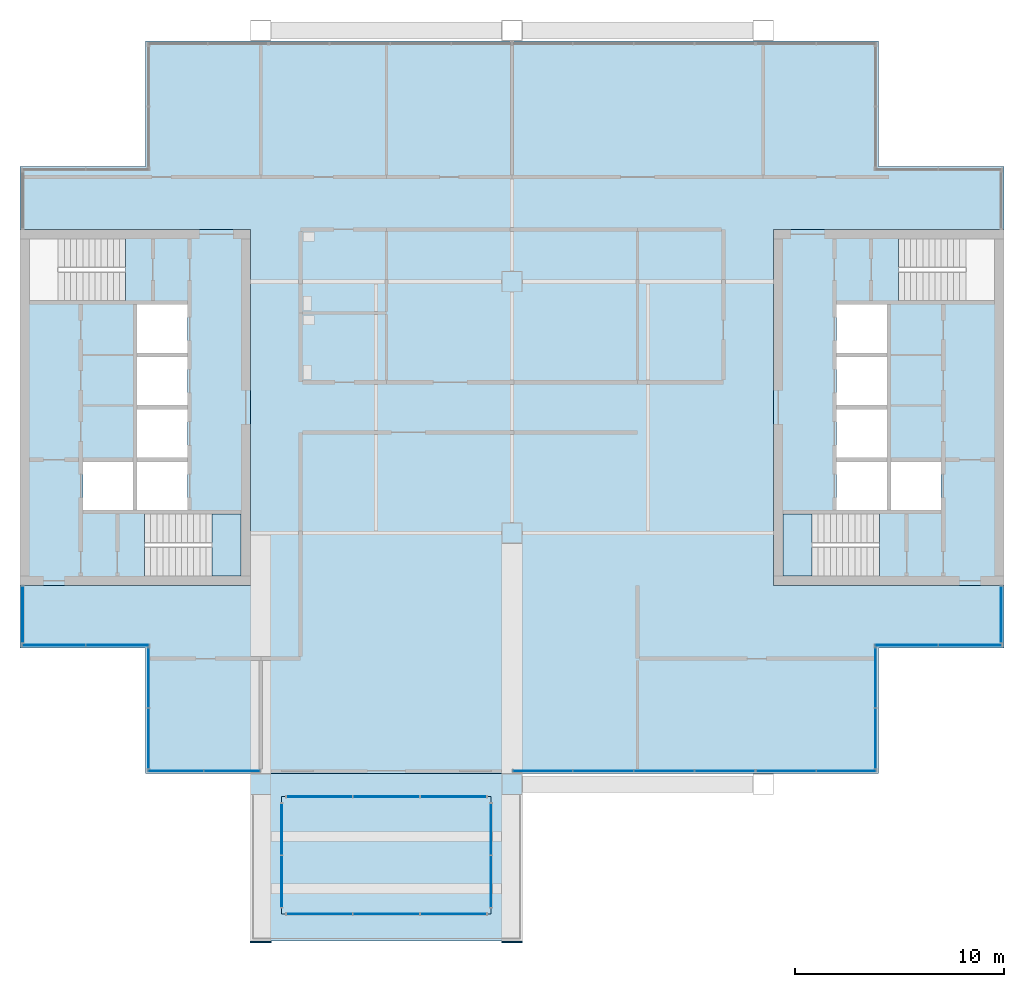
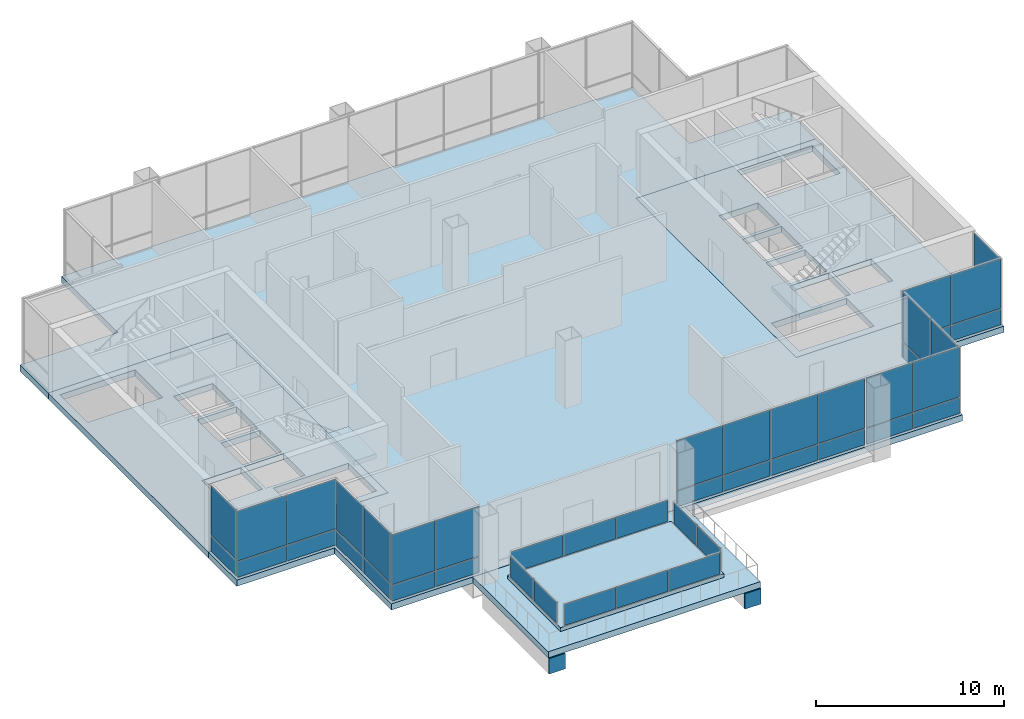
# One storey, part 9 of 15: 48 plates, 7 slabs, 15 elements without a shape of their own.
"""IFC4 building model written with IfcOpenShell, lengths in metres."""

from ifc_helpers import new_model, si_unit, direction, frame, origin, origin_2d, place, context, subcontext, project, spatial, polyline, rectangle, outline, extrude, material, layer, layer_set, type_object, element, aggregate, save


model = new_model("IFC4")

# Units and contexts
model_context = context("Model", 3, precision=1e-05, world=origin(), true_north=direction((0.0, 1.0)))
body_context = subcontext(model_context, "Body", "Model", "MODEL_VIEW")
ifc_project = project(units=[si_unit("LENGTHUNIT", "METRE"), si_unit("AREAUNIT", "SQUARE_METRE"), si_unit("VOLUMEUNIT", "CUBIC_METRE"), si_unit("PLANEANGLEUNIT", "RADIAN"), si_unit("MASSUNIT", "GRAM", prefix="KILO")], contexts=[model_context])

# Site, building, storey
site_placement = place(None, origin())
site = spatial("IfcSite", under=ifc_project, at=site_placement, CompositionType="ELEMENT")
building_placement = place(site_placement, origin())
building = spatial("IfcBuilding", under=site, at=building_placement, Name="Kitamizu Gate Tower and Museum", CompositionType="ELEMENT")
storey_placement = place(building_placement, frame((0.0, 0.0, 273.14990234375)))
storey = spatial("IfcBuildingStorey", under=building, at=storey_placement, Name="L74", CompositionType="ELEMENT", Elevation=273.14990234375)

# Slabs
ifc_material_1 = material(Name="Concrete Fc36", Category="concrete")
ifc_layer_1 = layer(ifc_material_1, 0.39990234375)
ifc_layer_set_1 = layer_set([ifc_layer_1], Name="Concrete Fc36")
slab_type_1 = type_object("IfcSlabType", Name="Core floor slab 400", PredefinedType="FLOOR", material=ifc_layer_set_1)
slab_1_placement = place(storey_placement, frame((0.0, 0.0, -0.39990234375)))
element("IfcSlab", 1, at=slab_1_placement, inside=storey, type_object=slab_type_1, Name="Core floor slab W", PredefinedType="FLOOR", context=body_context, shape_type="SweptSolid", body=[
    extrude(outline(polyline([(12.5, 21.5), (23.5, 21.5), (23.5, 38.5), (12.5, 38.5), (12.5, 21.5)]), holes=[polyline([(15.5, 25.10009765625), (17.89990234375, 25.10009765625), (17.89990234375, 27.39990234375), (15.5, 27.39990234375), (15.5, 25.10009765625)]), polyline([(18.10009765625, 25.10009765625), (20.5, 25.10009765625), (20.5, 27.39990234375), (18.10009765625, 27.39990234375), (18.10009765625, 25.10009765625)]), polyline([(18.10009765625, 27.60009765625), (20.5, 27.60009765625), (20.5, 29.89990234375), (18.10009765625, 29.89990234375), (18.10009765625, 27.60009765625)]), polyline([(18.10009765625, 30.10009765625), (20.5, 30.10009765625), (20.5, 32.39990234375), (18.10009765625, 32.39990234375), (18.10009765625, 30.10009765625)]), polyline([(18.10009765625, 32.60009765625), (20.5, 32.60009765625), (20.5, 34.89990234375), (18.10009765625, 34.89990234375), (18.10009765625, 32.60009765625)]), polyline([(18.45068359375, 21.949951171875), (23.050048828125, 21.949951171875), (23.050048828125, 24.89990234375), (18.45068359375, 24.89990234375), (18.45068359375, 21.949951171875)]), polyline([(12.949951171875, 35.10009765625), (17.54931640625, 35.10009765625), (17.54931640625, 38.050048828125), (12.949951171875, 38.050048828125), (12.949951171875, 35.10009765625)])]), origin(), (0.0, 0.0, 1.0), 0.39990234375),
])
slab_2_placement = place(storey_placement, frame((0.0, 0.0, -0.39990234375)))
element("IfcSlab", 2, at=slab_2_placement, inside=storey, type_object=slab_type_1, Name="Core floor slab E", PredefinedType="FLOOR", context=body_context, shape_type="SweptSolid", body=[
    extrude(outline(polyline([(48.5, 21.5), (59.5, 21.5), (59.5, 38.5), (48.5, 38.5), (48.5, 21.5)]), holes=[polyline([(54.10009765625, 25.10009765625), (56.5, 25.10009765625), (56.5, 27.39990234375), (54.10009765625, 27.39990234375), (54.10009765625, 25.10009765625)]), polyline([(51.5, 25.10009765625), (53.89990234375, 25.10009765625), (53.89990234375, 27.39990234375), (51.5, 27.39990234375), (51.5, 25.10009765625)]), polyline([(51.5, 27.60009765625), (53.89990234375, 27.60009765625), (53.89990234375, 29.89990234375), (51.5, 29.89990234375), (51.5, 27.60009765625)]), polyline([(51.5, 30.10009765625), (53.89990234375, 30.10009765625), (53.89990234375, 32.39990234375), (51.5, 32.39990234375), (51.5, 30.10009765625)]), polyline([(51.5, 32.60009765625), (53.89990234375, 32.60009765625), (53.89990234375, 34.89990234375), (51.5, 34.89990234375), (51.5, 32.60009765625)]), polyline([(48.949951171875, 21.949951171875), (53.54931640625, 21.949951171875), (53.54931640625, 24.89990234375), (48.949951171875, 24.89990234375), (48.949951171875, 21.949951171875)]), polyline([(54.45068359375, 35.10009765625), (59.050048828125, 35.10009765625), (59.050048828125, 38.050048828125), (54.45068359375, 38.050048828125), (54.45068359375, 35.10009765625)])]), origin(), (0.0, 0.0, 1.0), 0.39990234375),
])

# Curtain wall, plates
ifc_material_2 = material(Name="Bronze anodised aluminium frame, tinted triple glazing", Category="aluminium")
curtain_wall_type_1 = type_object("IfcCurtainWallType", Name="CURTAIN WALL TYPE C SKY AMENITY", PredefinedType="NOTDEFINED", material=ifc_material_2)
curtain_wall_1_placement = place(storey_placement, origin())
curtain_wall_1 = element("IfcCurtainWall", 3, at=curtain_wall_1_placement, inside=storey, type_object=curtain_wall_type_1, Name="Curtain wall CW-C south L74", PredefinedType="NOTDEFINED")
ifc_material_3 = material(Name="Tinted insulating glass", Category="glass")
ifc_layer_2 = layer(ifc_material_3, 0.031982421875)
ifc_layer_set_2 = layer_set([ifc_layer_2], Name="Tinted insulating glass")
plate_type_1 = type_object("IfcPlateType", Name="GLASS PANEL 32 TYPE C", PredefinedType="CURTAIN_PANEL", material=ifc_layer_set_2)
plate_1_placement = place(storey_placement, frame((19.93505859375, 12.635009765625, 0.06005859375), z_axis=(0.0, 0.0, 1.0), x_axis=(1.0, 0.0, 0.0)))
plate_1 = element("IfcPlate", 4, at=plate_1_placement, type_object=plate_type_1, Name="CW-C panel 1.1", PredefinedType="CURTAIN_PANEL", context=body_context, shape_type="SweptSolid", body=[
    extrude(rectangle(XDim=2.6298828125, YDim=0.031982421875, at=origin_2d()), origin(), (0.0, 0.0, 1.0), 1.010009765625),
])
plate_2_placement = place(storey_placement, frame((19.93505859375, 12.635009765625, 1.130126953125), z_axis=(0.0, 0.0, 1.0), x_axis=(1.0, 0.0, 0.0)))
plate_2 = element("IfcPlate", 5, at=plate_2_placement, type_object=plate_type_1, Name="CW-C panel 1.2", PredefinedType="CURTAIN_PANEL", context=body_context, shape_type="SweptSolid", body=[
    extrude(rectangle(XDim=2.6298828125, YDim=0.031982421875, at=origin_2d()), origin(), (0.0, 0.0, 1.0), 3.2099609375),
])
plate_3_placement = place(storey_placement, frame((22.625, 12.635009765625, 0.06005859375), z_axis=(0.0, 0.0, 1.0), x_axis=(1.0, 0.0, 0.0)))
plate_3 = element("IfcPlate", 6, at=plate_3_placement, type_object=plate_type_1, Name="CW-C panel 2.1", PredefinedType="CURTAIN_PANEL", context=body_context, shape_type="SweptSolid", body=[
    extrude(rectangle(XDim=2.6298828125, YDim=0.031982421875, at=origin_2d()), origin(), (0.0, 0.0, 1.0), 1.010009765625),
])
plate_4_placement = place(storey_placement, frame((22.625, 12.635009765625, 1.130126953125), z_axis=(0.0, 0.0, 1.0), x_axis=(1.0, 0.0, 0.0)))
plate_4 = element("IfcPlate", 7, at=plate_4_placement, type_object=plate_type_1, Name="CW-C panel 2.2", PredefinedType="CURTAIN_PANEL", context=body_context, shape_type="SweptSolid", body=[
    extrude(rectangle(XDim=2.6298828125, YDim=0.031982421875, at=origin_2d()), origin(), (0.0, 0.0, 1.0), 3.2099609375),
])
aggregate(curtain_wall_1, [plate_1, plate_2, plate_3, plate_4])

curtain_wall_2_placement = place(storey_placement, origin())
curtain_wall_2 = element("IfcCurtainWall", 8, at=curtain_wall_2_placement, inside=storey, type_object=curtain_wall_type_1, Name="Curtain wall CW-C south L74 part 2", PredefinedType="NOTDEFINED")
plate_5_placement = place(storey_placement, frame((49.094970703125, 12.635009765625, 0.06005859375), z_axis=(0.0, 0.0, 1.0), x_axis=(1.0, 0.0, 0.0)))
plate_5 = element("IfcPlate", 9, at=plate_5_placement, type_object=plate_type_1, Name="CW-C panel 1.1", PredefinedType="CURTAIN_PANEL", context=body_context, shape_type="SweptSolid", body=[
    extrude(rectangle(XDim=2.816650390625, YDim=0.031982421875, at=origin_2d()), origin(), (0.0, 0.0, 1.0), 1.010009765625),
])
plate_6_placement = place(storey_placement, frame((49.094970703125, 12.635009765625, 1.130126953125), z_axis=(0.0, 0.0, 1.0), x_axis=(1.0, 0.0, 0.0)))
plate_6 = element("IfcPlate", 10, at=plate_6_placement, type_object=plate_type_1, Name="CW-C panel 1.2", PredefinedType="CURTAIN_PANEL", context=body_context, shape_type="SweptSolid", body=[
    extrude(rectangle(XDim=2.816650390625, YDim=0.031982421875, at=origin_2d()), origin(), (0.0, 0.0, 1.0), 3.2099609375),
])
plate_7_placement = place(storey_placement, frame((51.9716796875, 12.635009765625, 0.06005859375), z_axis=(0.0, 0.0, 1.0), x_axis=(1.0, 0.0, 0.0)))
plate_7 = element("IfcPlate", 11, at=plate_7_placement, type_object=plate_type_1, Name="CW-C panel 2.1", PredefinedType="CURTAIN_PANEL", context=body_context, shape_type="SweptSolid", body=[
    extrude(rectangle(XDim=2.816650390625, YDim=0.031982421875, at=origin_2d()), origin(), (0.0, 0.0, 1.0), 1.010009765625),
])
plate_8_placement = place(storey_placement, frame((51.9716796875, 12.635009765625, 1.130126953125), z_axis=(0.0, 0.0, 1.0), x_axis=(1.0, 0.0, 0.0)))
plate_8 = element("IfcPlate", 12, at=plate_8_placement, type_object=plate_type_1, Name="CW-C panel 2.2", PredefinedType="CURTAIN_PANEL", context=body_context, shape_type="SweptSolid", body=[
    extrude(rectangle(XDim=2.816650390625, YDim=0.031982421875, at=origin_2d()), origin(), (0.0, 0.0, 1.0), 3.2099609375),
])
aggregate(curtain_wall_2, [plate_5, plate_6, plate_7, plate_8])

curtain_wall_3_placement = place(storey_placement, origin())
curtain_wall_3 = element("IfcCurtainWall", 13, at=curtain_wall_3_placement, inside=storey, type_object=curtain_wall_type_1, Name="Curtain wall CW-C east L74", PredefinedType="NOTDEFINED")
plate_9_placement = place(storey_placement, frame((53.364990234375, 14.1875, 0.06005859375), z_axis=(0.0, 0.0, 1.0), x_axis=(0.0, 1.0, 0.0)))
plate_9 = element("IfcPlate", 14, at=plate_9_placement, type_object=plate_type_1, Name="CW-C panel 1.1", PredefinedType="CURTAIN_PANEL", context=body_context, shape_type="SweptSolid", body=[
    extrude(rectangle(XDim=2.8349609375, YDim=0.031982421875, at=origin_2d()), origin(), (0.0, 0.0, 1.0), 1.010009765625),
])
plate_10_placement = place(storey_placement, frame((53.364990234375, 14.1875, 1.130126953125), z_axis=(0.0, 0.0, 1.0), x_axis=(0.0, 1.0, 0.0)))
plate_10 = element("IfcPlate", 15, at=plate_10_placement, type_object=plate_type_1, Name="CW-C panel 1.2", PredefinedType="CURTAIN_PANEL", context=body_context, shape_type="SweptSolid", body=[
    extrude(rectangle(XDim=2.8349609375, YDim=0.031982421875, at=origin_2d()), origin(), (0.0, 0.0, 1.0), 3.2099609375),
])
plate_11_placement = place(storey_placement, frame((53.364990234375, 17.08251953125, 0.06005859375), z_axis=(0.0, 0.0, 1.0), x_axis=(0.0, 1.0, 0.0)))
plate_11 = element("IfcPlate", 16, at=plate_11_placement, type_object=plate_type_1, Name="CW-C panel 2.1", PredefinedType="CURTAIN_PANEL", context=body_context, shape_type="SweptSolid", body=[
    extrude(rectangle(XDim=2.8349609375, YDim=0.031982421875, at=origin_2d()), origin(), (0.0, 0.0, 1.0), 1.010009765625),
])
plate_12_placement = place(storey_placement, frame((53.364990234375, 17.08251953125, 1.130126953125), z_axis=(0.0, 0.0, 1.0), x_axis=(0.0, 1.0, 0.0)))
plate_12 = element("IfcPlate", 17, at=plate_12_placement, type_object=plate_type_1, Name="CW-C panel 2.2", PredefinedType="CURTAIN_PANEL", context=body_context, shape_type="SweptSolid", body=[
    extrude(rectangle(XDim=2.8349609375, YDim=0.031982421875, at=origin_2d()), origin(), (0.0, 0.0, 1.0), 3.2099609375),
])
aggregate(curtain_wall_3, [plate_9, plate_10, plate_11, plate_12])

curtain_wall_4_placement = place(storey_placement, origin())
curtain_wall_4 = element("IfcCurtainWall", 18, at=curtain_wall_4_placement, inside=storey, type_object=curtain_wall_type_1, Name="Curtain wall CW-C south L74", PredefinedType="NOTDEFINED")
plate_13_placement = place(storey_placement, frame((54.842529296875, 18.635009765625, 0.06005859375), z_axis=(0.0, 0.0, 1.0), x_axis=(1.0, 0.0, 0.0)))
plate_13 = element("IfcPlate", 19, at=plate_13_placement, type_object=plate_type_1, Name="CW-C panel 1.1", PredefinedType="CURTAIN_PANEL", context=body_context, shape_type="SweptSolid", body=[
    extrude(rectangle(XDim=2.985107421875, YDim=0.031982421875, at=origin_2d()), origin(), (0.0, 0.0, 1.0), 1.010009765625),
])
plate_14_placement = place(storey_placement, frame((54.842529296875, 18.635009765625, 1.130126953125), z_axis=(0.0, 0.0, 1.0), x_axis=(1.0, 0.0, 0.0)))
plate_14 = element("IfcPlate", 20, at=plate_14_placement, type_object=plate_type_1, Name="CW-C panel 1.2", PredefinedType="CURTAIN_PANEL", context=body_context, shape_type="SweptSolid", body=[
    extrude(rectangle(XDim=2.985107421875, YDim=0.031982421875, at=origin_2d()), origin(), (0.0, 0.0, 1.0), 3.2099609375),
])
plate_15_placement = place(storey_placement, frame((57.887451171875, 18.635009765625, 0.06005859375), z_axis=(0.0, 0.0, 1.0), x_axis=(1.0, 0.0, 0.0)))
plate_15 = element("IfcPlate", 21, at=plate_15_placement, type_object=plate_type_1, Name="CW-C panel 2.1", PredefinedType="CURTAIN_PANEL", context=body_context, shape_type="SweptSolid", body=[
    extrude(rectangle(XDim=2.985107421875, YDim=0.031982421875, at=origin_2d()), origin(), (0.0, 0.0, 1.0), 1.010009765625),
])
plate_16_placement = place(storey_placement, frame((57.887451171875, 18.635009765625, 1.130126953125), z_axis=(0.0, 0.0, 1.0), x_axis=(1.0, 0.0, 0.0)))
plate_16 = element("IfcPlate", 22, at=plate_16_placement, type_object=plate_type_1, Name="CW-C panel 2.2", PredefinedType="CURTAIN_PANEL", context=body_context, shape_type="SweptSolid", body=[
    extrude(rectangle(XDim=2.985107421875, YDim=0.031982421875, at=origin_2d()), origin(), (0.0, 0.0, 1.0), 3.2099609375),
])
aggregate(curtain_wall_4, [plate_13, plate_14, plate_15, plate_16])

curtain_wall_5_placement = place(storey_placement, origin())
curtain_wall_5 = element("IfcCurtainWall", 23, at=curtain_wall_5_placement, inside=storey, type_object=curtain_wall_type_1, Name="Curtain wall CW-C east L74", PredefinedType="NOTDEFINED")
plate_17_placement = place(storey_placement, frame((59.364990234375, 20.10498046875, 0.06005859375), z_axis=(0.0, 0.0, 1.0), x_axis=(0.0, 1.0, 0.0)))
plate_17 = element("IfcPlate", 24, at=plate_17_placement, type_object=plate_type_1, Name="CW-C panel 1.1", PredefinedType="CURTAIN_PANEL", context=body_context, shape_type="SweptSolid", body=[
    extrude(rectangle(XDim=2.669921875, YDim=0.031982421875, at=origin_2d()), origin(), (0.0, 0.0, 1.0), 1.010009765625),
])
plate_18_placement = place(storey_placement, frame((59.364990234375, 20.10498046875, 1.130126953125), z_axis=(0.0, 0.0, 1.0), x_axis=(0.0, 1.0, 0.0)))
plate_18 = element("IfcPlate", 25, at=plate_18_placement, type_object=plate_type_1, Name="CW-C panel 1.2", PredefinedType="CURTAIN_PANEL", context=body_context, shape_type="SweptSolid", body=[
    extrude(rectangle(XDim=2.669921875, YDim=0.031982421875, at=origin_2d()), origin(), (0.0, 0.0, 1.0), 3.2099609375),
])
aggregate(curtain_wall_5, [plate_17, plate_18])

curtain_wall_6_placement = place(storey_placement, origin())
curtain_wall_6 = element("IfcCurtainWall", 26, at=curtain_wall_6_placement, inside=storey, type_object=curtain_wall_type_1, Name="Curtain wall CW-C west L74", PredefinedType="NOTDEFINED")
plate_19_placement = place(storey_placement, frame((12.635009765625, 20.10498046875, 0.06005859375), z_axis=(0.0, 0.0, 1.0), x_axis=(0.0, 1.0, 0.0)))
plate_19 = element("IfcPlate", 27, at=plate_19_placement, type_object=plate_type_1, Name="CW-C panel 1.1", PredefinedType="CURTAIN_PANEL", context=body_context, shape_type="SweptSolid", body=[
    extrude(rectangle(XDim=2.669921875, YDim=0.031982421875, at=origin_2d()), origin(), (0.0, 0.0, 1.0), 1.010009765625),
])
plate_20_placement = place(storey_placement, frame((12.635009765625, 20.10498046875, 1.130126953125), z_axis=(0.0, 0.0, 1.0), x_axis=(0.0, 1.0, 0.0)))
plate_20 = element("IfcPlate", 28, at=plate_20_placement, type_object=plate_type_1, Name="CW-C panel 1.2", PredefinedType="CURTAIN_PANEL", context=body_context, shape_type="SweptSolid", body=[
    extrude(rectangle(XDim=2.669921875, YDim=0.031982421875, at=origin_2d()), origin(), (0.0, 0.0, 1.0), 3.2099609375),
])
aggregate(curtain_wall_6, [plate_19, plate_20])

curtain_wall_7_placement = place(storey_placement, origin())
curtain_wall_7 = element("IfcCurtainWall", 29, at=curtain_wall_7_placement, inside=storey, type_object=curtain_wall_type_1, Name="Curtain wall CW-C south L74", PredefinedType="NOTDEFINED")
plate_21_placement = place(storey_placement, frame((14.112548828125, 18.635009765625, 0.06005859375), z_axis=(0.0, 0.0, 1.0), x_axis=(1.0, 0.0, 0.0)))
plate_21 = element("IfcPlate", 30, at=plate_21_placement, type_object=plate_type_1, Name="CW-C panel 1.1", PredefinedType="CURTAIN_PANEL", context=body_context, shape_type="SweptSolid", body=[
    extrude(rectangle(XDim=2.985107421875, YDim=0.031982421875, at=origin_2d()), origin(), (0.0, 0.0, 1.0), 1.010009765625),
])
plate_22_placement = place(storey_placement, frame((14.112548828125, 18.635009765625, 1.130126953125), z_axis=(0.0, 0.0, 1.0), x_axis=(1.0, 0.0, 0.0)))
plate_22 = element("IfcPlate", 31, at=plate_22_placement, type_object=plate_type_1, Name="CW-C panel 1.2", PredefinedType="CURTAIN_PANEL", context=body_context, shape_type="SweptSolid", body=[
    extrude(rectangle(XDim=2.985107421875, YDim=0.031982421875, at=origin_2d()), origin(), (0.0, 0.0, 1.0), 3.2099609375),
])
plate_23_placement = place(storey_placement, frame((17.157470703125, 18.635009765625, 0.06005859375), z_axis=(0.0, 0.0, 1.0), x_axis=(1.0, 0.0, 0.0)))
plate_23 = element("IfcPlate", 32, at=plate_23_placement, type_object=plate_type_1, Name="CW-C panel 2.1", PredefinedType="CURTAIN_PANEL", context=body_context, shape_type="SweptSolid", body=[
    extrude(rectangle(XDim=2.985107421875, YDim=0.031982421875, at=origin_2d()), origin(), (0.0, 0.0, 1.0), 1.010009765625),
])
plate_24_placement = place(storey_placement, frame((17.157470703125, 18.635009765625, 1.130126953125), z_axis=(0.0, 0.0, 1.0), x_axis=(1.0, 0.0, 0.0)))
plate_24 = element("IfcPlate", 33, at=plate_24_placement, type_object=plate_type_1, Name="CW-C panel 2.2", PredefinedType="CURTAIN_PANEL", context=body_context, shape_type="SweptSolid", body=[
    extrude(rectangle(XDim=2.985107421875, YDim=0.031982421875, at=origin_2d()), origin(), (0.0, 0.0, 1.0), 3.2099609375),
])
aggregate(curtain_wall_7, [plate_21, plate_22, plate_23, plate_24])

curtain_wall_8_placement = place(storey_placement, origin())
curtain_wall_8 = element("IfcCurtainWall", 34, at=curtain_wall_8_placement, inside=storey, type_object=curtain_wall_type_1, Name="Curtain wall CW-C west L74", PredefinedType="NOTDEFINED")
plate_25_placement = place(storey_placement, frame((18.635009765625, 14.1875, 0.06005859375), z_axis=(0.0, 0.0, 1.0), x_axis=(0.0, 1.0, 0.0)))
plate_25 = element("IfcPlate", 35, at=plate_25_placement, type_object=plate_type_1, Name="CW-C panel 1.1", PredefinedType="CURTAIN_PANEL", context=body_context, shape_type="SweptSolid", body=[
    extrude(rectangle(XDim=2.8349609375, YDim=0.031982421875, at=origin_2d()), origin(), (0.0, 0.0, 1.0), 1.010009765625),
])
plate_26_placement = place(storey_placement, frame((18.635009765625, 14.1875, 1.130126953125), z_axis=(0.0, 0.0, 1.0), x_axis=(0.0, 1.0, 0.0)))
plate_26 = element("IfcPlate", 36, at=plate_26_placement, type_object=plate_type_1, Name="CW-C panel 1.2", PredefinedType="CURTAIN_PANEL", context=body_context, shape_type="SweptSolid", body=[
    extrude(rectangle(XDim=2.8349609375, YDim=0.031982421875, at=origin_2d()), origin(), (0.0, 0.0, 1.0), 3.2099609375),
])
plate_27_placement = place(storey_placement, frame((18.635009765625, 17.08251953125, 0.06005859375), z_axis=(0.0, 0.0, 1.0), x_axis=(0.0, 1.0, 0.0)))
plate_27 = element("IfcPlate", 37, at=plate_27_placement, type_object=plate_type_1, Name="CW-C panel 2.1", PredefinedType="CURTAIN_PANEL", context=body_context, shape_type="SweptSolid", body=[
    extrude(rectangle(XDim=2.8349609375, YDim=0.031982421875, at=origin_2d()), origin(), (0.0, 0.0, 1.0), 1.010009765625),
])
plate_28_placement = place(storey_placement, frame((18.635009765625, 17.08251953125, 1.130126953125), z_axis=(0.0, 0.0, 1.0), x_axis=(0.0, 1.0, 0.0)))
plate_28 = element("IfcPlate", 38, at=plate_28_placement, type_object=plate_type_1, Name="CW-C panel 2.2", PredefinedType="CURTAIN_PANEL", context=body_context, shape_type="SweptSolid", body=[
    extrude(rectangle(XDim=2.8349609375, YDim=0.031982421875, at=origin_2d()), origin(), (0.0, 0.0, 1.0), 3.2099609375),
])
aggregate(curtain_wall_8, [plate_25, plate_26, plate_27, plate_28])

curtain_wall_9_placement = place(storey_placement, origin())
curtain_wall_9 = element("IfcCurtainWall", 39, at=curtain_wall_9_placement, inside=storey, type_object=curtain_wall_type_1, Name="Curtain wall CW-C pool side S L74", PredefinedType="NOTDEFINED")
plate_29_placement = place(storey_placement, frame((26.794921875, 5.800048828125, 0.31005859375), z_axis=(0.0, 0.0, 1.0), x_axis=(1.0, 0.0, 0.0)))
plate_29 = element("IfcPlate", 40, at=plate_29_placement, type_object=plate_type_1, Name="CW-C panel 1.1", PredefinedType="CURTAIN_PANEL", context=body_context, shape_type="SweptSolid", body=[
    extrude(rectangle(XDim=3.1298828125, YDim=0.031982421875, at=origin_2d()), origin(), (0.0, 0.0, 1.0), 1.3798828125),
])
plate_30_placement = place(storey_placement, frame((30.0, 5.800048828125, 0.31005859375), z_axis=(0.0, 0.0, 1.0), x_axis=(1.0, 0.0, 0.0)))
plate_30 = element("IfcPlate", 41, at=plate_30_placement, type_object=plate_type_1, Name="CW-C panel 2.1", PredefinedType="CURTAIN_PANEL", context=body_context, shape_type="SweptSolid", body=[
    extrude(rectangle(XDim=3.159912109375, YDim=0.031982421875, at=origin_2d()), origin(), (0.0, 0.0, 1.0), 1.3798828125),
])
plate_31_placement = place(storey_placement, frame((33.205078125, 5.800048828125, 0.31005859375), z_axis=(0.0, 0.0, 1.0), x_axis=(1.0, 0.0, 0.0)))
plate_31 = element("IfcPlate", 42, at=plate_31_placement, type_object=plate_type_1, Name="CW-C panel 3.1", PredefinedType="CURTAIN_PANEL", context=body_context, shape_type="SweptSolid", body=[
    extrude(rectangle(XDim=3.1298828125, YDim=0.031982421875, at=origin_2d()), origin(), (0.0, 0.0, 1.0), 1.3798828125),
])
aggregate(curtain_wall_9, [plate_29, plate_30, plate_31])

curtain_wall_10_placement = place(storey_placement, origin())
curtain_wall_10 = element("IfcCurtainWall", 43, at=curtain_wall_10_placement, inside=storey, type_object=curtain_wall_type_1, Name="Curtain wall CW-C pool side W L74", PredefinedType="NOTDEFINED")
plate_32_placement = place(storey_placement, frame((25.0, 7.35009765625, 0.31005859375), z_axis=(0.0, 0.0, 1.0), x_axis=(0.0, 1.0, 0.0)))
plate_32 = element("IfcPlate", 44, at=plate_32_placement, type_object=plate_type_1, Name="CW-C panel 1.1", PredefinedType="CURTAIN_PANEL", context=body_context, shape_type="SweptSolid", body=[
    extrude(rectangle(XDim=2.43994140625, YDim=0.031982421875, at=origin_2d()), origin(), (0.0, 0.0, 1.0), 1.3798828125),
])
plate_33_placement = place(storey_placement, frame((25.0, 9.85009765625, 0.31005859375), z_axis=(0.0, 0.0, 1.0), x_axis=(0.0, 1.0, 0.0)))
plate_33 = element("IfcPlate", 45, at=plate_33_placement, type_object=plate_type_1, Name="CW-C panel 2.1", PredefinedType="CURTAIN_PANEL", context=body_context, shape_type="SweptSolid", body=[
    extrude(rectangle(XDim=2.43994140625, YDim=0.031982421875, at=origin_2d()), origin(), (0.0, 0.0, 1.0), 1.3798828125),
])
aggregate(curtain_wall_10, [plate_32, plate_33])

curtain_wall_11_placement = place(storey_placement, origin())
curtain_wall_11 = element("IfcCurtainWall", 46, at=curtain_wall_11_placement, inside=storey, type_object=curtain_wall_type_1, Name="Curtain wall CW-C pool side E L74", PredefinedType="NOTDEFINED")
plate_34_placement = place(storey_placement, frame((35.0, 7.35009765625, 0.31005859375), z_axis=(0.0, 0.0, 1.0), x_axis=(0.0, 1.0, 0.0)))
plate_34 = element("IfcPlate", 47, at=plate_34_placement, type_object=plate_type_1, Name="CW-C panel 1.1", PredefinedType="CURTAIN_PANEL", context=body_context, shape_type="SweptSolid", body=[
    extrude(rectangle(XDim=2.43994140625, YDim=0.031982421875, at=origin_2d()), origin(), (0.0, 0.0, 1.0), 1.3798828125),
])
plate_35_placement = place(storey_placement, frame((35.0, 9.85009765625, 0.31005859375), z_axis=(0.0, 0.0, 1.0), x_axis=(0.0, 1.0, 0.0)))
plate_35 = element("IfcPlate", 48, at=plate_35_placement, type_object=plate_type_1, Name="CW-C panel 2.1", PredefinedType="CURTAIN_PANEL", context=body_context, shape_type="SweptSolid", body=[
    extrude(rectangle(XDim=2.43994140625, YDim=0.031982421875, at=origin_2d()), origin(), (0.0, 0.0, 1.0), 1.3798828125),
])
aggregate(curtain_wall_11, [plate_34, plate_35])

ifc_material_4 = material(Name="Bronze anodised aluminium frame, insulated panels", Category="aluminium")
curtain_wall_type_2 = type_object("IfcCurtainWallType", Name="CURTAIN WALL TYPE C SKY AMENITY INSULATED", PredefinedType="NOTDEFINED", material=ifc_material_4)
curtain_wall_12_placement = place(storey_placement, origin())
curtain_wall_12 = element("IfcCurtainWall", 49, at=curtain_wall_12_placement, inside=storey, type_object=curtain_wall_type_2, Name="Curtain wall CW-CI south L74 part 1", PredefinedType="NOTDEFINED")
ifc_material_5 = material(Name="Bronze anodised aluminium insulated panel", Category="aluminium")
ifc_layer_3 = layer(ifc_material_5, 0.031982421875)
ifc_layer_set_3 = layer_set([ifc_layer_3], Name="Bronze anodised aluminium insulated panel")
plate_type_2 = type_object("IfcPlateType", Name="INSULATED PANEL 32 TYPE C", PredefinedType="CURTAIN_PANEL", material=ifc_layer_set_3)
plate_36_placement = place(storey_placement, frame((37.46826171875, 12.635009765625, 0.06005859375), z_axis=(0.0, 0.0, 1.0), x_axis=(1.0, 0.0, 0.0)))
plate_36 = element("IfcPlate", 50, at=plate_36_placement, type_object=plate_type_2, Name="CW-CI panel 1.1", PredefinedType="CURTAIN_PANEL", context=body_context, shape_type="SweptSolid", body=[
    extrude(rectangle(XDim=2.816650390625, YDim=0.031982421875, at=origin_2d()), origin(), (0.0, 0.0, 1.0), 1.010009765625),
])
plate_37_placement = place(storey_placement, frame((37.46826171875, 12.635009765625, 1.130126953125), z_axis=(0.0, 0.0, 1.0), x_axis=(1.0, 0.0, 0.0)))
plate_37 = element("IfcPlate", 51, at=plate_37_placement, type_object=plate_type_2, Name="CW-CI panel 1.2", PredefinedType="CURTAIN_PANEL", context=body_context, shape_type="SweptSolid", body=[
    extrude(rectangle(XDim=2.816650390625, YDim=0.031982421875, at=origin_2d()), origin(), (0.0, 0.0, 1.0), 3.2099609375),
])
plate_38_placement = place(storey_placement, frame((40.360107421875, 12.635009765625, 0.06005859375), z_axis=(0.0, 0.0, 1.0), x_axis=(1.0, 0.0, 0.0)))
plate_38 = element("IfcPlate", 52, at=plate_38_placement, type_object=plate_type_2, Name="CW-CI panel 2.1", PredefinedType="CURTAIN_PANEL", context=body_context, shape_type="SweptSolid", body=[
    extrude(rectangle(XDim=2.8466796875, YDim=0.031982421875, at=origin_2d()), origin(), (0.0, 0.0, 1.0), 1.010009765625),
])
plate_39_placement = place(storey_placement, frame((40.360107421875, 12.635009765625, 1.130126953125), z_axis=(0.0, 0.0, 1.0), x_axis=(1.0, 0.0, 0.0)))
plate_39 = element("IfcPlate", 53, at=plate_39_placement, type_object=plate_type_2, Name="CW-CI panel 2.2", PredefinedType="CURTAIN_PANEL", context=body_context, shape_type="SweptSolid", body=[
    extrude(rectangle(XDim=2.8466796875, YDim=0.031982421875, at=origin_2d()), origin(), (0.0, 0.0, 1.0), 3.2099609375),
])
plate_40_placement = place(storey_placement, frame((43.2666015625, 12.635009765625, 0.06005859375), z_axis=(0.0, 0.0, 1.0), x_axis=(1.0, 0.0, 0.0)))
plate_40 = element("IfcPlate", 54, at=plate_40_placement, type_object=plate_type_2, Name="CW-CI panel 3.1", PredefinedType="CURTAIN_PANEL", context=body_context, shape_type="SweptSolid", body=[
    extrude(rectangle(XDim=2.8466796875, YDim=0.031982421875, at=origin_2d()), origin(), (0.0, 0.0, 1.0), 1.010009765625),
])
plate_41_placement = place(storey_placement, frame((43.2666015625, 12.635009765625, 1.130126953125), z_axis=(0.0, 0.0, 1.0), x_axis=(1.0, 0.0, 0.0)))
plate_41 = element("IfcPlate", 55, at=plate_41_placement, type_object=plate_type_2, Name="CW-CI panel 3.2", PredefinedType="CURTAIN_PANEL", context=body_context, shape_type="SweptSolid", body=[
    extrude(rectangle(XDim=2.8466796875, YDim=0.031982421875, at=origin_2d()), origin(), (0.0, 0.0, 1.0), 3.2099609375),
])
plate_42_placement = place(storey_placement, frame((46.158447265625, 12.635009765625, 0.06005859375), z_axis=(0.0, 0.0, 1.0), x_axis=(1.0, 0.0, 0.0)))
plate_42 = element("IfcPlate", 56, at=plate_42_placement, type_object=plate_type_2, Name="CW-CI panel 4.1", PredefinedType="CURTAIN_PANEL", context=body_context, shape_type="SweptSolid", body=[
    extrude(rectangle(XDim=2.816650390625, YDim=0.031982421875, at=origin_2d()), origin(), (0.0, 0.0, 1.0), 1.010009765625),
])
plate_43_placement = place(storey_placement, frame((46.158447265625, 12.635009765625, 1.130126953125), z_axis=(0.0, 0.0, 1.0), x_axis=(1.0, 0.0, 0.0)))
plate_43 = element("IfcPlate", 57, at=plate_43_placement, type_object=plate_type_2, Name="CW-CI panel 4.2", PredefinedType="CURTAIN_PANEL", context=body_context, shape_type="SweptSolid", body=[
    extrude(rectangle(XDim=2.816650390625, YDim=0.031982421875, at=origin_2d()), origin(), (0.0, 0.0, 1.0), 3.2099609375),
])
aggregate(curtain_wall_12, [plate_36, plate_37, plate_38, plate_39, plate_40, plate_41, plate_42, plate_43])

curtain_wall_13_placement = place(storey_placement, origin())
curtain_wall_13 = element("IfcCurtainWall", 58, at=curtain_wall_13_placement, inside=storey, type_object=curtain_wall_type_2, Name="Curtain wall CW-CI pool side N L74", PredefinedType="NOTDEFINED")
plate_44_placement = place(storey_placement, frame((26.794921875, 11.39990234375, 0.31005859375), z_axis=(0.0, 0.0, 1.0), x_axis=(1.0, 0.0, 0.0)))
plate_44 = element("IfcPlate", 59, at=plate_44_placement, type_object=plate_type_2, Name="CW-CI panel 1.1", PredefinedType="CURTAIN_PANEL", context=body_context, shape_type="SweptSolid", body=[
    extrude(rectangle(XDim=3.1298828125, YDim=0.031982421875, at=origin_2d()), origin(), (0.0, 0.0, 1.0), 1.3798828125),
])
plate_45_placement = place(storey_placement, frame((30.0, 11.39990234375, 0.31005859375), z_axis=(0.0, 0.0, 1.0), x_axis=(1.0, 0.0, 0.0)))
plate_45 = element("IfcPlate", 60, at=plate_45_placement, type_object=plate_type_2, Name="CW-CI panel 2.1", PredefinedType="CURTAIN_PANEL", context=body_context, shape_type="SweptSolid", body=[
    extrude(rectangle(XDim=3.159912109375, YDim=0.031982421875, at=origin_2d()), origin(), (0.0, 0.0, 1.0), 1.3798828125),
])
plate_46_placement = place(storey_placement, frame((33.205078125, 11.39990234375, 0.31005859375), z_axis=(0.0, 0.0, 1.0), x_axis=(1.0, 0.0, 0.0)))
plate_46 = element("IfcPlate", 61, at=plate_46_placement, type_object=plate_type_2, Name="CW-CI panel 3.1", PredefinedType="CURTAIN_PANEL", context=body_context, shape_type="SweptSolid", body=[
    extrude(rectangle(XDim=3.1298828125, YDim=0.031982421875, at=origin_2d()), origin(), (0.0, 0.0, 1.0), 1.3798828125),
])
aggregate(curtain_wall_13, [plate_44, plate_45, plate_46])

# Slab
ifc_material_6 = material(Name="Concrete Fc36", Category="concrete")
ifc_layer_4 = layer(ifc_material_6, 0.25)
ifc_layer_set_4 = layer_set([ifc_layer_4], Name="Concrete Fc36")
slab_type_2 = type_object("IfcSlabType", Name="Pool basin slab 250", PredefinedType="FLOOR", material=ifc_layer_set_4)
slab_3_placement = place(storey_placement, origin())
element("IfcSlab", 62, at=slab_3_placement, inside=storey, type_object=slab_type_2, Name="Pool basin slab L74", PredefinedType="FLOOR", context=body_context, shape_type="SweptSolid", body=[
    extrude(outline(polyline([(25.0, 5.800048828125), (35.0, 5.800048828125), (35.0, 11.39990234375), (25.0, 11.39990234375), (25.0, 5.800048828125)])), origin(), (0.0, 0.0, 1.0), 0.25),
])

# Plates
ifc_material_7 = material(Name="Steel SM490A bronze coated", Category="steel")
ifc_layer_5 = layer(ifc_material_7, 0.080078125)
ifc_layer_set_5 = layer_set([ifc_layer_5], Name="Steel SM490A bronze coated")
plate_type_3 = type_object("IfcPlateType", Name="Pool cantilever girder cap plate PG3P 80", PredefinedType="USERDEFINED", material=ifc_layer_set_5)
for number, where, z_axis, x_axis, name in (
    (63, (24.0, 4.4599609375, -1.39990234375), (0.0, 0.0, 1.0), (1.0, 0.0, 0.0), "Pool girder W tip cap plate L74"),
    (64, (36.0, 4.4599609375, -1.39990234375), (0.0, 0.0, 1.0), (1.0, 0.0, 0.0), "Pool girder E tip cap plate L74"),
):
    element("IfcPlate", number, at=place(storey_placement, frame(where, z_axis=z_axis, x_axis=x_axis)), inside=storey, type_object=plate_type_3, Name=name, ObjectType="GIRDER CAP PLATE", PredefinedType="USERDEFINED", context=body_context, shape_type="SweptSolid", body=[
        extrude(rectangle(XDim=1.0, YDim=0.080078125, at=origin_2d()), origin(), (0.0, 0.0, 1.0), 1.0),
    ])

# Slabs
ifc_material_8 = material(Name="Concrete Fc36", Category="concrete")
ifc_layer_6 = layer(ifc_material_8, 0.39990234375)
ifc_layer_set_6 = layer_set([ifc_layer_6], Name="Concrete Fc36")
slab_type_3 = type_object("IfcSlabType", Name="Pool deck slab 400", PredefinedType="FLOOR", material=ifc_layer_set_6)
slab_4_placement = place(storey_placement, frame((0.0, 0.0, -0.39990234375)))
element("IfcSlab", 65, at=slab_4_placement, inside=storey, type_object=slab_type_3, Name="Pool deck slab L74", PredefinedType="FLOOR", context=body_context, shape_type="SweptSolid", body=[
    extrude(outline(polyline([(23.5, 4.5), (36.5, 4.5), (36.5, 12.5), (23.5, 12.5), (23.5, 4.5)])), origin(), (0.0, 0.0, 1.0), 0.39990234375),
])
ifc_material_9 = material(Name="Concrete Fc36", Category="concrete")
ifc_layer_7 = layer(ifc_material_9, 0.39990234375)
ifc_layer_set_7 = layer_set([ifc_layer_7], Name="Concrete Fc36")
slab_type_4 = type_object("IfcSlabType", Name="Post tensioned flat slab 400", PredefinedType="FLOOR", material=ifc_layer_set_7)
slab_5_placement = place(storey_placement, frame((0.0, 0.0, -0.39990234375)))
element("IfcSlab", 66, at=slab_5_placement, inside=storey, type_object=slab_type_4, Name="Floor slab L74-1", PredefinedType="FLOOR", context=body_context, shape_type="SweptSolid", body=[
    extrude(outline(polyline([(12.5, 18.5), (12.5, 21.5), (23.5, 21.5), (23.5, 38.5), (12.5, 38.5), (12.5, 41.5), (18.5, 41.5), (18.5, 47.5), (53.5, 47.5), (53.5, 41.5), (59.5, 41.5), (59.5, 38.5), (48.5, 38.5), (48.5, 21.5), (59.5, 21.5), (59.5, 18.5), (53.5, 18.5), (53.5, 12.5), (18.5, 12.5), (18.5, 18.5), (12.5, 18.5)])), origin(), (0.0, 0.0, 1.0), 0.39990234375),
])

# Stair, slab
ifc_material_10 = material(Name="Concrete Fc42", Category="concrete")
stair_type = type_object("IfcStairType", Name="Exit stair 1375 wide 200 rise 293 going", PredefinedType="HALF_TURN_STAIR", material=ifc_material_10)
stair_1_placement = place(storey_placement, origin())
stair_1 = element("IfcStair", 67, at=stair_1_placement, inside=storey, type_object=stair_type, Name="Exit stair ST1", PredefinedType="HALF_TURN_STAIR")
ifc_material_11 = material(Name="Concrete Fc42", Category="concrete")
ifc_layer_8 = layer(ifc_material_11, 0.300048828125)
ifc_layer_set_8 = layer_set([ifc_layer_8], Name="Concrete Fc42")
slab_type_5 = type_object("IfcSlabType", Name="Stair landing 300", PredefinedType="LANDING", material=ifc_layer_set_8)
slab_6_placement = place(storey_placement, frame((0.0, 0.0, 2.10009765625)))
slab_6 = element("IfcSlab", 68, at=slab_6_placement, type_object=slab_type_5, Name="ST1 landing 1", PredefinedType="LANDING", context=body_context, shape_type="SweptSolid", body=[
    extrude(outline(polyline([(21.675048828125, 21.949951171875), (23.050048828125, 21.949951171875), (23.050048828125, 24.89990234375), (21.675048828125, 24.89990234375), (21.675048828125, 21.949951171875)])), origin(), (0.0, 0.0, 1.0), 0.300048828125),
])
aggregate(stair_1, [slab_6])

stair_2_placement = place(storey_placement, origin())
stair_2 = element("IfcStair", 69, at=stair_2_placement, inside=storey, type_object=stair_type, Name="Exit stair ST3", PredefinedType="HALF_TURN_STAIR")
slab_7_placement = place(storey_placement, frame((0.0, 0.0, 2.10009765625)))
slab_7 = element("IfcSlab", 70, at=slab_7_placement, type_object=slab_type_5, Name="ST3 landing 1", PredefinedType="LANDING", context=body_context, shape_type="SweptSolid", body=[
    extrude(outline(polyline([(48.949951171875, 21.949951171875), (50.324951171875, 21.949951171875), (50.324951171875, 24.89990234375), (48.949951171875, 24.89990234375), (48.949951171875, 21.949951171875)])), origin(), (0.0, 0.0, 1.0), 0.300048828125),
])
aggregate(stair_2, [slab_7])

save(model, "model.ifc")
